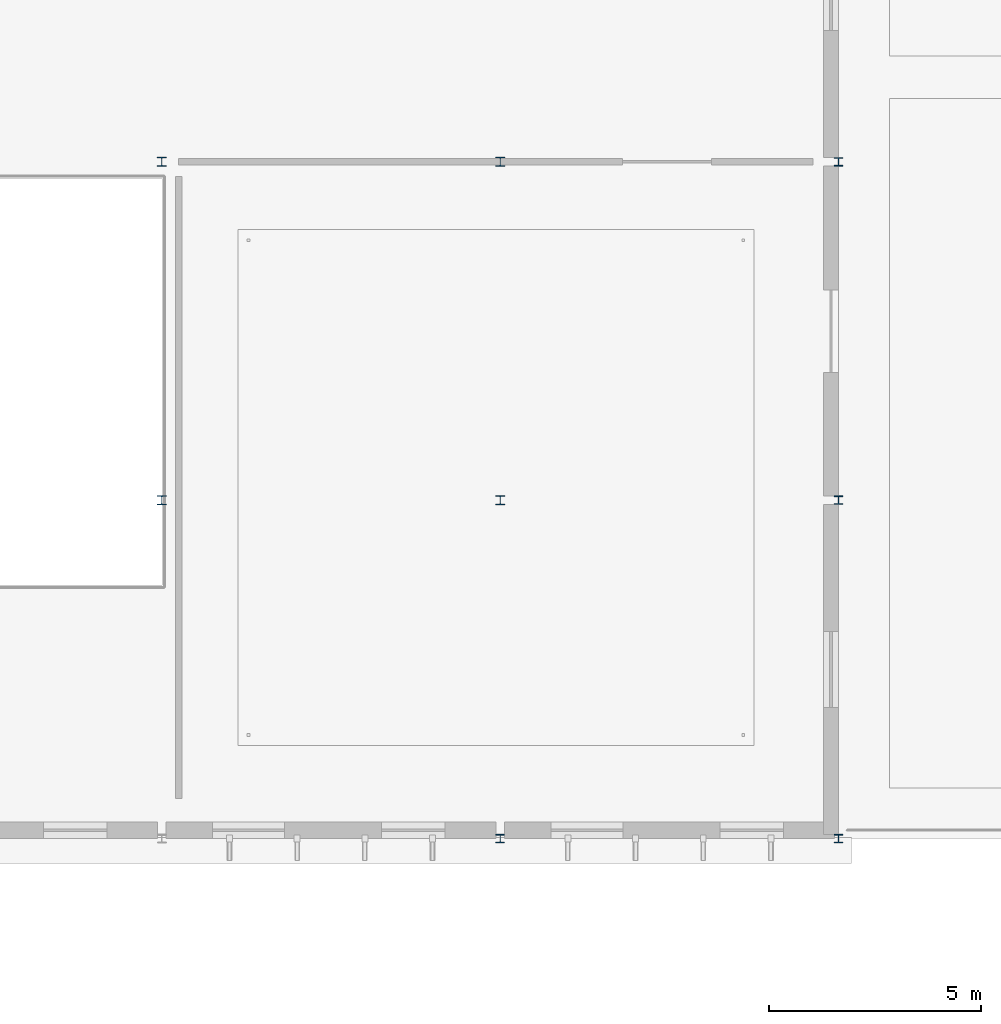
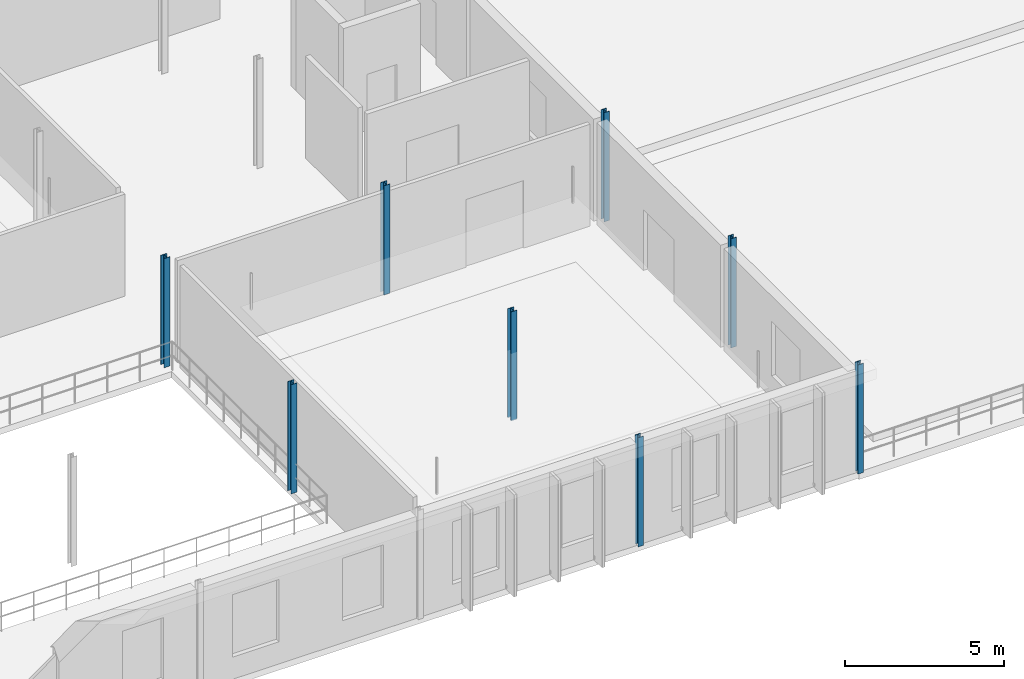
# One storey, part 7 of 67: 8 columns.
"""IFC4 building model written with IfcOpenShell, lengths in metres."""

from ifc_helpers import new_model, si_unit, direction, frame, origin, origin_2d, place, context, subcontext, project, spatial, i_section, extrude, material, material_profile, profile_set, type_object, element, save


model = new_model("IFC4")

# Units and contexts
model_context = context("Model", 3, precision=1e-05, world=origin(), true_north=direction((0.0, 1.0)))
body_context = subcontext(model_context, "Body", "Model", "MODEL_VIEW")
ifc_project = project(units=[si_unit("LENGTHUNIT", "METRE"), si_unit("AREAUNIT", "SQUARE_METRE"), si_unit("VOLUMEUNIT", "CUBIC_METRE"), si_unit("PLANEANGLEUNIT", "RADIAN"), si_unit("MASSUNIT", "GRAM", prefix="KILO")], contexts=[model_context])

# Site, building, storey
site_placement = place(None, origin())
site = spatial("IfcSite", under=ifc_project, at=site_placement, CompositionType="ELEMENT")
building_placement = place(site_placement, origin())
building = spatial("IfcBuilding", under=site, at=building_placement, Name="Sundkrona Museum", CompositionType="ELEMENT")
storey_placement = place(building_placement, frame((0.0, 0.0, 21.800048828125)))
storey = spatial("IfcBuildingStorey", under=building, at=storey_placement, Name="L04", CompositionType="ELEMENT", Elevation=21.800048828125)

# Columns
ifc_material = material(Name="Steel S355J2", Category="steel")
ifc_material_profile_1 = material_profile(ifc_material, i_section(OverallWidth=0.199951171875, OverallDepth=0.199951171875, WebThickness=0.009033203125, FlangeThickness=0.014892578125, FilletRadius=0.01806640625, at=origin_2d()), Name="HEB 200")
ifc_profile_set_1 = profile_set([ifc_material_profile_1], Name="Steel S355J2")
column_type_1 = type_object("IfcColumnType", Name="C-HEB200", PredefinedType="COLUMN", material=ifc_profile_set_1)
for number, where, z_axis, x_axis, name in (
    (1, (48.0, 78.0, 0.0), (0.0, 0.0, 1.0), (1.0, 0.0, 0.0), "L04 Column L/7"),
    (2, (56.0, 78.0, 0.0), (0.0, 0.0, 1.0), (1.0, 0.0, 0.0), "L04 Column L/8"),
    (3, (56.0, 86.0, 0.0), (0.0, 0.0, 1.0), (1.0, 0.0, 0.0), "L04 Column M/8"),
    (4, (56.0, 94.0, 0.0), (0.0, 0.0, 1.0), (1.0, 0.0, 0.0), "L04 Column N/8"),
):
    element("IfcColumn", number, at=place(storey_placement, frame(where, z_axis=z_axis, x_axis=x_axis)), inside=storey, type_object=column_type_1, Name=name, PredefinedType="COLUMN", context=body_context, shape_type="SweptSolid", body=[
        extrude(i_section(OverallWidth=0.199951171875, OverallDepth=0.199951171875, WebThickness=0.009033203125, FlangeThickness=0.014892578125, FilletRadius=0.01806640625, at=origin_2d()), origin(), (0.0, 0.0, 1.0), 4.199951171875),
    ])
ifc_material_profile_2 = material_profile(ifc_material, i_section(OverallWidth=0.219970703125, OverallDepth=0.219970703125, WebThickness=0.009521484375, FlangeThickness=0.01611328125, FilletRadius=0.01806640625, at=origin_2d()), Name="HEB 220")
ifc_profile_set_2 = profile_set([ifc_material_profile_2], Name="Steel S355J2")
column_type_2 = type_object("IfcColumnType", Name="C-HEB220", PredefinedType="COLUMN", material=ifc_profile_set_2)
for number, where, z_axis, x_axis, name in (
    (5, (40.0, 86.0, 0.0), (0.0, 0.0, 1.0), (1.0, 0.0, 0.0), "L04 Column M/6"),
    (6, (40.0, 94.0, 0.0), (0.0, 0.0, 1.0), (1.0, 0.0, 0.0), "L04 Column N/6"),
    (7, (48.0, 86.0, 0.0), (0.0, 0.0, 1.0), (1.0, 0.0, 0.0), "L04 Column M/7"),
    (8, (48.0, 94.0, 0.0), (0.0, 0.0, 1.0), (1.0, 0.0, 0.0), "L04 Column N/7"),
):
    element("IfcColumn", number, at=place(storey_placement, frame(where, z_axis=z_axis, x_axis=x_axis)), inside=storey, type_object=column_type_2, Name=name, PredefinedType="COLUMN", context=body_context, shape_type="SweptSolid", body=[
        extrude(i_section(OverallWidth=0.219970703125, OverallDepth=0.219970703125, WebThickness=0.009521484375, FlangeThickness=0.01611328125, FilletRadius=0.01806640625, at=origin_2d()), origin(), (0.0, 0.0, 1.0), 4.199951171875),
    ])

save(model, "model.ifc")
